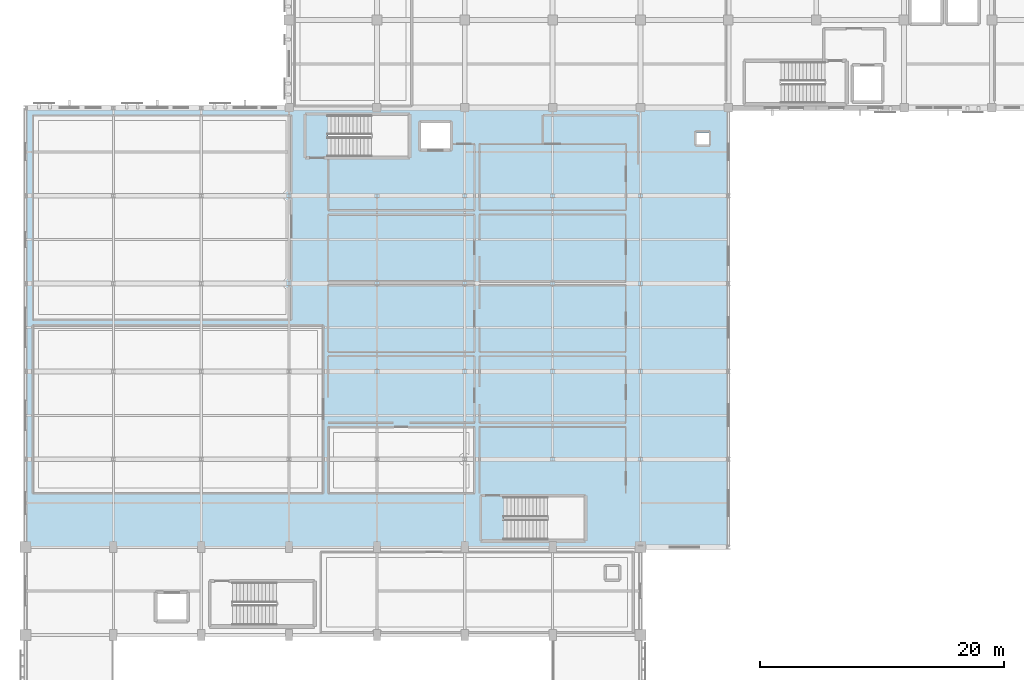
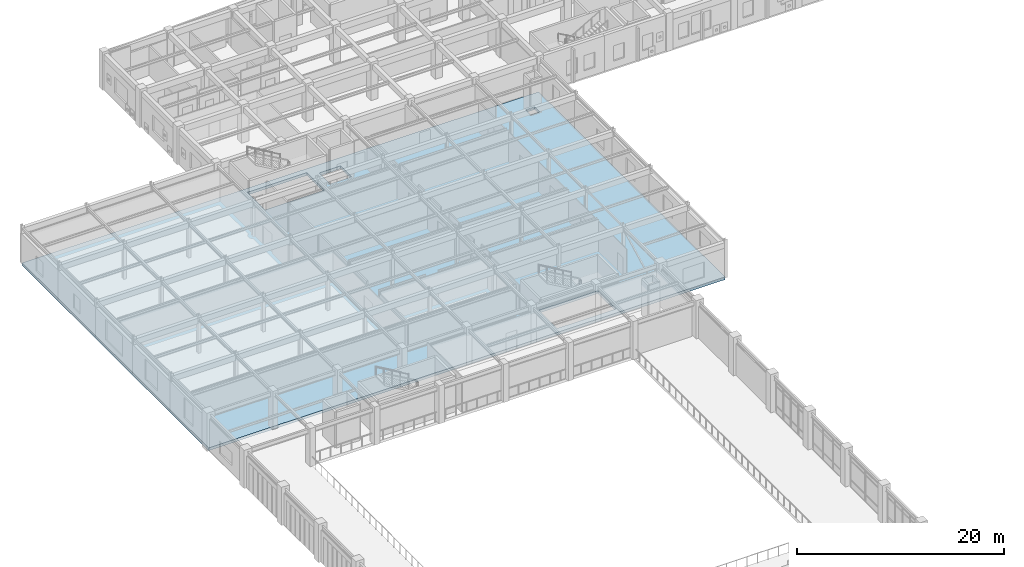
# One storey, part 61 of 106: 1 slab.
"""IFC4 building model written with IfcOpenShell, lengths in metres."""

from ifc_helpers import new_model, si_unit, direction, frame, origin, place, context, subcontext, project, spatial, polyline, outline, extrude, material, layer, layer_set, type_object, element, save


model = new_model("IFC4")

# Units and contexts
model_context = context("Model", 3, precision=1e-05, world=origin(), true_north=direction((0.0, 1.0)))
body_context = subcontext(model_context, "Body", "Model", "MODEL_VIEW")
ifc_project = project(units=[si_unit("LENGTHUNIT", "METRE"), si_unit("AREAUNIT", "SQUARE_METRE"), si_unit("VOLUMEUNIT", "CUBIC_METRE"), si_unit("PLANEANGLEUNIT", "RADIAN"), si_unit("MASSUNIT", "GRAM", prefix="KILO")], contexts=[model_context])

# Site, building, storey
site_placement = place(None, origin())
site = spatial("IfcSite", under=ifc_project, at=site_placement, CompositionType="ELEMENT")
building_placement = place(site_placement, origin())
building = spatial("IfcBuilding", under=site, at=building_placement, Name="Carrowvane Square Congress Hotel", CompositionType="ELEMENT")
storey_placement = place(building_placement, frame((0.0, 0.0, 10.5)))
storey = spatial("IfcBuildingStorey", under=building, at=storey_placement, Name="L02", CompositionType="ELEMENT", Elevation=10.5)

# Slab
ifc_material = material(Name="Concrete C35/45", Category="concrete")
ifc_layer = layer(ifc_material, 0.320068359375)
ifc_layer_set = layer_set([ifc_layer], Name="Concrete C35/45")
slab_type = type_object("IfcSlabType", Name="SLB-FLR-320", PredefinedType="FLOOR", material=ifc_layer_set)
slab_placement = place(storey_placement, frame((0.0, 0.0, -0.320068359375)))
element("IfcSlab", 1, at=slab_placement, inside=storey, type_object=slab_type, Name="L02 V4 structural slab", PredefinedType="FLOOR", context=body_context, shape_type="SweptSolid", body=[
    extrude(outline(polyline([(11.60009765625, 55.800048828125), (69.199951171875, 55.800048828125), (69.199951171875, 91.800048828125), (11.60009765625, 91.800048828125), (11.60009765625, 55.800048828125)]), holes=[polyline([(36.389892578125, 87.800048828125), (43.0, 87.800048828125), (43.0, 91.199951171875), (36.389892578125, 91.199951171875), (36.389892578125, 87.800048828125)]), polyline([(50.820068359375, 56.39990234375), (57.39990234375, 56.39990234375), (57.39990234375, 59.919921875), (50.820068359375, 59.919921875), (50.820068359375, 56.39990234375)]), polyline([(66.60009765625, 88.800048828125), (67.60009765625, 88.800048828125), (67.60009765625, 89.800048828125), (66.60009765625, 89.800048828125), (66.60009765625, 88.800048828125)]), polyline([(44.0, 88.449951171875), (46.39990234375, 88.449951171875), (46.39990234375, 90.550048828125), (44.0, 90.550048828125), (44.0, 88.449951171875)])]), origin(), (0.0, 0.0, 1.0), 0.320068359375),
])

save(model, "model.ifc")
